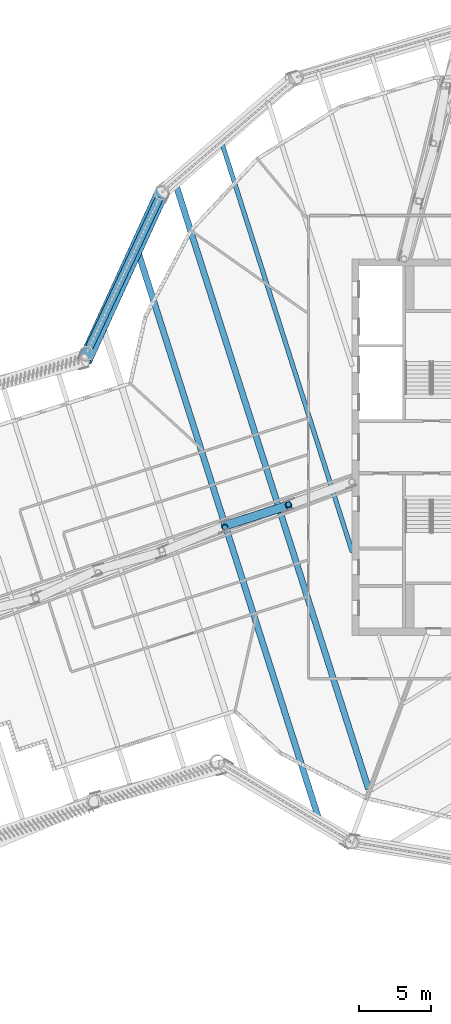
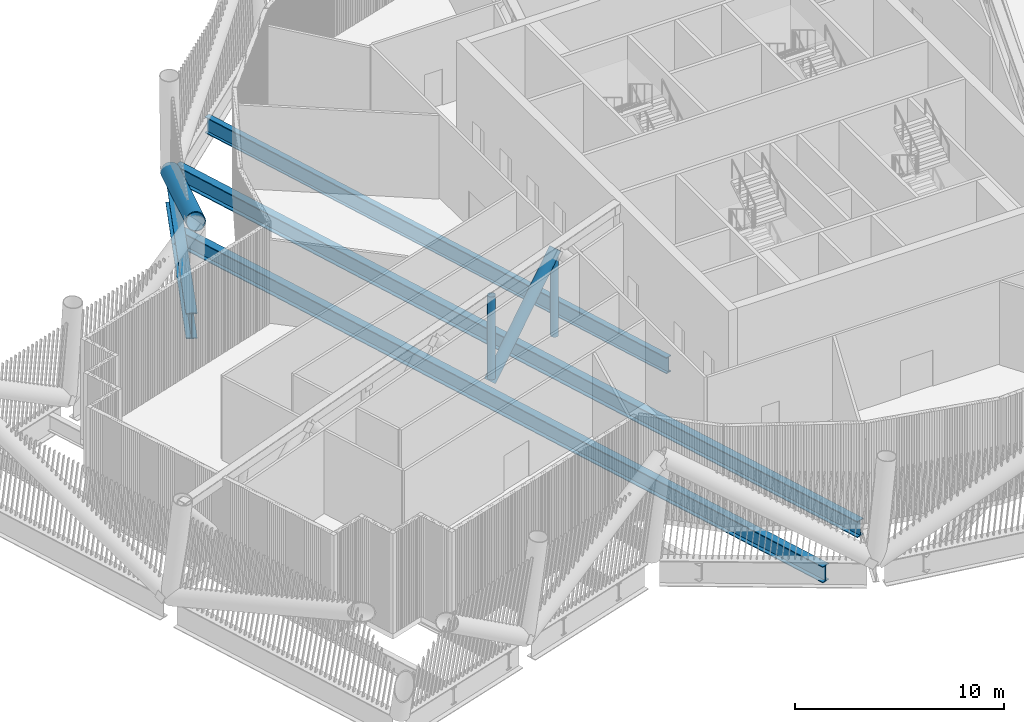
# One storey, part 6 of 40: 4 beams, 4 members.
"""IFC4 building model written with IfcOpenShell, lengths in metres."""

from ifc_helpers import new_model, si_unit, direction, frame, origin, origin_2d, place, context, subcontext, project, spatial, hollow_circle, i_section, extrude, material, material_profile, profile_set, type_object, element, save


model = new_model("IFC4")

# Units and contexts
model_context = context("Model", 3, precision=1e-05, world=origin(), true_north=direction((0.0, 1.0)))
body_context = subcontext(model_context, "Body", "Model", "MODEL_VIEW")
ifc_project = project(units=[si_unit("LENGTHUNIT", "METRE"), si_unit("AREAUNIT", "SQUARE_METRE"), si_unit("VOLUMEUNIT", "CUBIC_METRE"), si_unit("PLANEANGLEUNIT", "RADIAN"), si_unit("MASSUNIT", "GRAM", prefix="KILO")], contexts=[model_context])

# Site, building, storey
site_placement = place(None, origin())
site = spatial("IfcSite", under=ifc_project, at=site_placement, CompositionType="ELEMENT")
building_placement = place(site_placement, origin())
building = spatial("IfcBuilding", under=site, at=building_placement, Name="Tarsis Ring Headquarters", CompositionType="ELEMENT")
storey_placement = place(building_placement, frame((0.0, 0.0, 354.800048828125)))
storey = spatial("IfcBuildingStorey", under=building, at=storey_placement, Name="L84", CompositionType="ELEMENT", Elevation=354.800048828125)

# Beams
ifc_material = material(Name="Structural steel S355", Category="steel")
ifc_material_profile_1 = material_profile(ifc_material, i_section(OverallWidth=0.309814453125, OverallDepth=0.949951171875, WebThickness=0.0244140625, FlangeThickness=0.0439453125, at=origin_2d()), Name="W36x256")
ifc_profile_set_1 = profile_set([ifc_material_profile_1], Name="Structural steel S355")
beam_type_1 = type_object("IfcBeamType", Name="FB Floor beam W36x256", PredefinedType="JOIST", material=ifc_profile_set_1)
beam_1_placement = place(storey_placement, frame((-19.03369140625, 21.187255859375, -0.775146484375), z_axis=(0.303701646985, -0.952767185423, 0.0), x_axis=(0.952767185423, 0.303701646985, 0.0)))
element("IfcBeam", 1, at=beam_1_placement, inside=storey, type_object=beam_type_1, Name="Floor beam FB11", PredefinedType="JOIST", context=body_context, shape_type="SweptSolid", body=[
    extrude(i_section(OverallWidth=0.309814453125, OverallDepth=0.949951171875, WebThickness=0.0244140625, FlangeThickness=0.0439453125, at=origin_2d()), origin(), (0.0, 0.0, 1.0), 29.844970703125),
])
ifc_material_profile_2 = material_profile(ifc_material, i_section(OverallWidth=0.42431640625, OverallDepth=0.947509765625, WebThickness=0.02392578125, FlangeThickness=0.042724609375, at=origin_2d()), Name="W36x302")
ifc_profile_set_2 = profile_set([ifc_material_profile_2], Name="Structural steel S355")
beam_type_2 = type_object("IfcBeamType", Name="FB Floor beam W36x302", PredefinedType="JOIST", material=ifc_profile_set_2)
beam_2_placement = place(storey_placement, frame((-22.250244140625, 18.4365234375, -0.773681640625), z_axis=(0.303703606118, -0.952766560932, 0.0), x_axis=(0.952766560932, 0.303703606118, 0.0)))
element("IfcBeam", 2, at=beam_2_placement, inside=storey, type_object=beam_type_2, Name="Floor beam FB12", PredefinedType="JOIST", context=body_context, shape_type="SweptSolid", body=[
    extrude(i_section(OverallWidth=0.42431640625, OverallDepth=0.947509765625, WebThickness=0.02392578125, FlangeThickness=0.042724609375, at=origin_2d()), origin(), (0.0, 0.0, 1.0), 44.138427734375),
])
beam_3_placement = place(storey_placement, frame((-24.899658203125, 13.9072265625, -0.773681640625), z_axis=(0.30370216418, -0.952767020563, 0.0), x_axis=(0.952767020563, 0.30370216418, 0.0)))
element("IfcBeam", 3, at=beam_3_placement, inside=storey, type_object=beam_type_2, Name="Floor beam FB12", PredefinedType="JOIST", context=body_context, shape_type="SweptSolid", body=[
    extrude(i_section(OverallWidth=0.42431640625, OverallDepth=0.947509765625, WebThickness=0.02392578125, FlangeThickness=0.042724609375, at=origin_2d()), origin(), (0.0, 0.0, 1.0), 41.941650390625),
])

# Members
ifc_material_profile_3 = material_profile(ifc_material, hollow_circle(Radius=0.3046875, WallThickness=0.02490234375, at=origin_2d()), Name="CHS 610x25")
ifc_profile_set_3 = profile_set([ifc_material_profile_3], Name="Structural steel S355")
member_type_1 = type_object("IfcMemberType", Name="OD Outrigger diagonal CHS 610x25", PredefinedType="BRACE", material=ifc_profile_set_3)
member_1_placement = place(storey_placement, frame((-14.36474609375, -4.01220703125, 5.5859375), z_axis=(-0.625640742433, -0.201392133085, -0.753667612506), x_axis=(0.306413646436, -0.951898459542, 0.0)))
element("IfcMember", 4, at=member_1_placement, inside=storey, type_object=member_type_1, Name="Outrigger diagonal OD1", PredefinedType="BRACE", context=body_context, shape_type="SweptSolid", body=[
    extrude(hollow_circle(Radius=0.3046875, WallThickness=0.02490234375, at=origin_2d()), origin(), (0.0, 0.0, 1.0), 7.07470703125),
])
ifc_material_profile_4 = material_profile(ifc_material, hollow_circle(Radius=0.203125, WallThickness=0.01611328125, at=origin_2d()), Name="CHS 406x16")
ifc_profile_set_4 = profile_set([ifc_material_profile_4], Name="Structural steel S355")
member_type_2 = type_object("IfcMemberType", Name="OV Outrigger post CHS 406x16", PredefinedType="STRUT", material=ifc_profile_set_4)
for number, where, z_axis, x_axis, name in (
    (5, (-14.380126953125, -3.96533203125, 0.508056640625), (0.0, 0.0, 1.0), (1.0, 0.0, 0.0), "Outrigger post OV1"),
    (6, (-18.760009765625, -5.53076171875, 0.508056640625), (0.0, 0.0, 1.0), (1.0, 0.0, 0.0), "Outrigger post OV1"),
):
    element("IfcMember", number, at=place(storey_placement, frame(where, z_axis=z_axis, x_axis=x_axis)), inside=storey, type_object=member_type_2, Name=name, PredefinedType="STRUT", context=body_context, shape_type="SweptSolid", body=[
        extrude(hollow_circle(Radius=0.203125, WallThickness=0.01611328125, at=origin_2d()), origin(), (0.0, 0.0, 1.0), 4.823974609375),
    ])
ifc_material_profile_5 = material_profile(ifc_material, hollow_circle(Radius=0.482666015625, WallThickness=0.0400390625, at=origin_2d()), Name="CHS 965x40")
ifc_profile_set_5 = profile_set([ifc_material_profile_5], Name="Structural steel S355")
member_type_3 = type_object("IfcMemberType", Name="TD Belt truss diagonal CHS 965x40", PredefinedType="BRACE", material=ifc_profile_set_5)
member_2_placement = place(storey_placement, frame((-23.109619140625, 17.60009765625, 0.0), z_axis=(-0.376743525556, -0.822849820223, 0.425420367767), x_axis=(0.90923047778, -0.416293091794, 0.0)))
element("IfcMember", 7, at=member_2_placement, inside=storey, type_object=member_type_3, Name="Belt truss diagonal TD7", PredefinedType="BRACE", context=body_context, shape_type="SweptSolid", body=[
    extrude(hollow_circle(Radius=0.482666015625, WallThickness=0.0400390625, at=origin_2d()), origin(), (0.0, 0.0, 1.0), 14.103759765625),
])

# Beam
ifc_material_profile_6 = material_profile(ifc_material, i_section(OverallWidth=0.550048828125, OverallDepth=1.5, WebThickness=0.030029296875, FlangeThickness=0.050048828125, at=origin_2d()), Name="PG 1500x550x30x50")
ifc_profile_set_6 = profile_set([ifc_material_profile_6], Name="Structural steel S355")
beam_type_3 = type_object("IfcBeamType", Name="XG Ring girder PG 1500x550x30x50", PredefinedType="BEAM", material=ifc_profile_set_6)
beam_4_placement = place(storey_placement, frame((-23.2939453125, 17.206787109375, -0.75), z_axis=(-0.424537206053, -0.905410492913, 0.0), x_axis=(0.905410492913, -0.424537206053, 0.0)))
element("IfcBeam", 8, at=beam_4_placement, inside=storey, type_object=beam_type_3, Name="Ring girder XG6", PredefinedType="BEAM", context=body_context, shape_type="SweptSolid", body=[
    extrude(i_section(OverallWidth=0.550048828125, OverallDepth=1.5, WebThickness=0.030029296875, FlangeThickness=0.050048828125, at=origin_2d()), origin(), (0.0, 0.0, 1.0), 11.380126953125),
])

save(model, "model.ifc")
